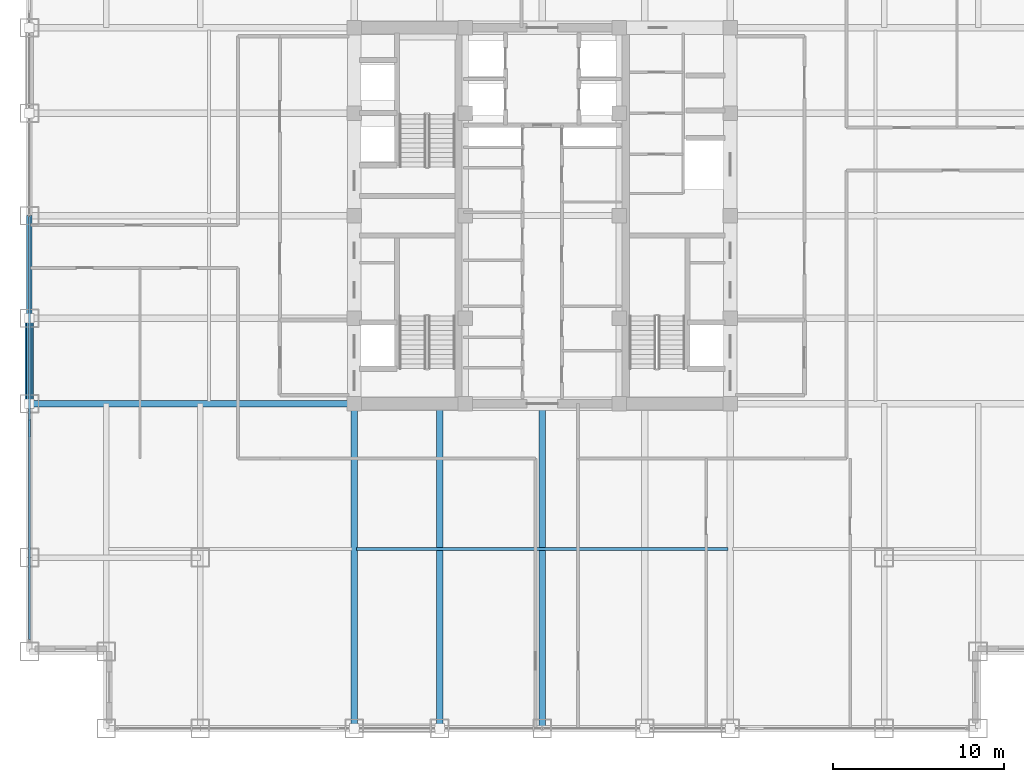
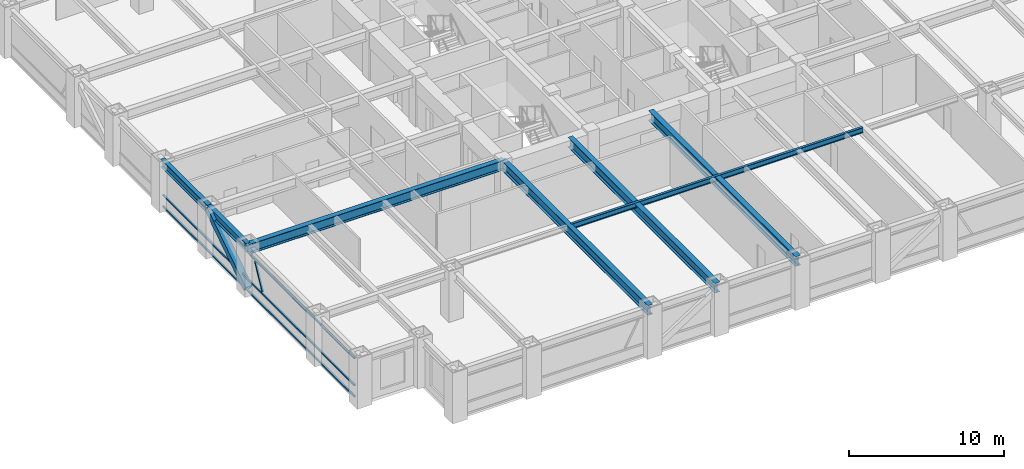
# One storey, part 5 of 25: 7 beams, 5 members, 1 element without a shape of its own.
"""IFC4 building model written with IfcOpenShell, lengths in metres."""

from ifc_helpers import new_model, si_unit, direction, frame, origin, origin_2d, place, context, subcontext, project, spatial, hollow_rectangle, i_section, extrude, source, transform, mapped, material, material_profile, profile_set, type_object, element, aggregate, save


model = new_model("IFC4")

# Units and contexts
model_context = context("Model", 3, precision=1e-05, world=origin(), true_north=direction((0.0, 1.0)))
body_context = subcontext(model_context, "Body", "Model", "MODEL_VIEW")
ifc_project = project(units=[si_unit("LENGTHUNIT", "METRE"), si_unit("AREAUNIT", "SQUARE_METRE"), si_unit("VOLUMEUNIT", "CUBIC_METRE"), si_unit("PLANEANGLEUNIT", "RADIAN"), si_unit("MASSUNIT", "GRAM", prefix="KILO")], contexts=[model_context])

# Site, building, storey
site_placement = place(None, origin())
site = spatial("IfcSite", under=ifc_project, at=site_placement, CompositionType="ELEMENT")
building_placement = place(site_placement, origin())
building = spatial("IfcBuilding", under=site, at=building_placement, Name="Khorayat Bourse Tower", CompositionType="ELEMENT")
storey_placement = place(building_placement, frame((0.0, 0.0, 195.10009765625)))
storey = spatial("IfcBuildingStorey", under=building, at=storey_placement, Name="L45", CompositionType="ELEMENT", Elevation=195.10009765625)

# Beams
ifc_material_1 = material(Name="Steel ASTM A992 Grade 50", Category="steel")
ifc_material_profile_1 = material_profile(ifc_material_1, i_section(OverallWidth=0.381103515625, OverallDepth=0.77294921875, WebThickness=0.0166015625, FlangeThickness=0.027587890625, FilletRadius=0.01806640625, at=origin_2d()), Name="W760X257")
ifc_profile_set_1 = profile_set([ifc_material_profile_1], Name="Steel ASTM A992 Grade 50")
beam_type_1 = type_object("IfcBeamType", Name="BM-GIRD-760", PredefinedType="BEAM", material=ifc_profile_set_1)
shared_shape_1 = source(origin(), body_context, "Body", "SweptSolid", [
    extrude(i_section(OverallWidth=0.381103515625, OverallDepth=0.77294921875, WebThickness=0.0166015625, FlangeThickness=0.027587890625, FilletRadius=0.01806640625, at=origin_2d()), origin(), (0.0, 0.0, 1.0), 19.0),
])
for number, where, z_axis, x_axis, name in (
    (1, (-11.0, -30.0, 3.393310546875), (0.0, 1.0, 0.0), (-1.0, 0.0, 0.0), "L45 BM-GIRD-760 BM-L45-RADY-065"),
    (2, (-6.0, -30.0, 3.393310546875), (0.0, 1.0, 0.0), (-1.0, 0.0, 0.0), "L45 BM-GIRD-760 BM-L45-RADY-067"),
    (3, (0.0, -30.0, 3.393310546875), (0.0, 1.0, 0.0), (-1.0, 0.0, 0.0), "L45 BM-GIRD-760 BM-L45-RADY-069"),
    (4, (-30.0, -11.0, 3.393310546875), (1.0, 0.0, 0.0), (0.0, 1.0, 0.0), "L45 BM-GIRD-760 BM-L45-RADX-075"),
):
    element("IfcBeam", number, at=place(storey_placement, frame(where, z_axis=z_axis, x_axis=x_axis)), inside=storey, type_object=beam_type_1, Name=name, PredefinedType="BEAM", context=body_context, shape_type="MappedRepresentation", body=[
        mapped(shared_shape_1, transform((0.0, 0.0, 0.0), scale=1.0)),
    ])
ifc_material_profile_2 = material_profile(ifc_material_1, i_section(OverallWidth=0.180908203125, OverallDepth=0.4169921875, WebThickness=0.010986328125, FlangeThickness=0.018310546875, FilletRadius=0.011962890625, at=origin_2d()), Name="W410X85")
ifc_profile_set_2 = profile_set([ifc_material_profile_2], Name="Steel ASTM A992 Grade 50")
beam_type_2 = type_object("IfcBeamType", Name="BM-JOIST-410", PredefinedType="JOIST", material=ifc_profile_set_2)
shared_shape_2 = source(origin(), body_context, "Body", "SweptSolid", [
    extrude(i_section(OverallWidth=0.180908203125, OverallDepth=0.4169921875, WebThickness=0.010986328125, FlangeThickness=0.018310546875, FilletRadius=0.011962890625, at=origin_2d()), origin(), (0.0, 0.0, 1.0), 21.740234375),
])
beam_1_placement = place(storey_placement, frame((-10.8701171875, -19.5, 3.5712890625), z_axis=(1.0, 0.0, 0.0), x_axis=(0.0, 1.0, 0.0)))
element("IfcBeam", 5, at=beam_1_placement, inside=storey, type_object=beam_type_2, Name="L45 BM-JOIST-410 BM-L45-JSTX-097", PredefinedType="JOIST", context=body_context, shape_type="MappedRepresentation", body=[
    mapped(shared_shape_2, transform((0.0, 0.0, 0.0), scale=1.0)),
])
ifc_material_profile_3 = material_profile(ifc_material_1, i_section(OverallWidth=0.324951171875, OverallDepth=0.615966796875, WebThickness=0.013916015625, FlangeThickness=0.021484375, FilletRadius=0.01611328125, at=origin_2d()), Name="W610X174")
ifc_profile_set_3 = profile_set([ifc_material_profile_3], Name="Steel ASTM A992 Grade 50")
beam_type_3 = type_object("IfcBeamType", Name="BM-SPAN-610", PredefinedType="SPANDREL", material=ifc_profile_set_3)
shared_shape_3 = source(origin(), body_context, "Body", "SweptSolid", [
    extrude(i_section(OverallWidth=0.324951171875, OverallDepth=0.615966796875, WebThickness=0.013916015625, FlangeThickness=0.021484375, FilletRadius=0.01611328125, at=origin_2d()), origin(), (0.0, 0.0, 1.0), 5.0),
])
beam_2_placement = place(storey_placement, frame((-30.0, -11.0, 3.471923828125), z_axis=(0.0, 1.0, 0.0), x_axis=(-1.0, 0.0, 0.0)))
element("IfcBeam", 6, at=beam_2_placement, inside=storey, type_object=beam_type_3, Name="L45 BM-SPAN-610 BM-L45-SPN-059", PredefinedType="SPANDREL", context=body_context, shape_type="MappedRepresentation", body=[
    mapped(shared_shape_3, transform((0.0, 0.0, 0.0), scale=1.0)),
])
shared_shape_4 = source(origin(), body_context, "Body", "SweptSolid", [
    extrude(i_section(OverallWidth=0.324951171875, OverallDepth=0.615966796875, WebThickness=0.013916015625, FlangeThickness=0.021484375, FilletRadius=0.01611328125, at=origin_2d()), origin(), (0.0, 0.0, 1.0), 6.0),
])
beam_3_placement = place(storey_placement, frame((-30.0, -6.0, 3.471923828125), z_axis=(0.0, 1.0, 0.0), x_axis=(-1.0, 0.0, 0.0)))
element("IfcBeam", 7, at=beam_3_placement, inside=storey, type_object=beam_type_3, Name="L45 BM-SPAN-610 BM-L45-SPN-058", PredefinedType="SPANDREL", context=body_context, shape_type="MappedRepresentation", body=[
    mapped(shared_shape_4, transform((0.0, 0.0, 0.0), scale=1.0)),
])

# Member
ifc_material_2 = material(Name="Steel EN 10025-4 S460M", Category="steel")
ifc_material_profile_4 = material_profile(ifc_material_2, hollow_rectangle(XDim=0.5, YDim=0.5, WallThickness=0.028076171875, at=origin_2d()), Name="HSS 500x500x28")
ifc_profile_set_4 = profile_set([ifc_material_profile_4], Name="Steel EN 10025-4 S460M")
member_type_1 = type_object("IfcMemberType", Name="MBR-TUBE-500", PredefinedType="BRACE", material=ifc_profile_set_4)
shared_shape_5 = source(origin(), body_context, "Body", "SweptSolid", [
    extrude(hollow_rectangle(XDim=0.5, YDim=0.5, WallThickness=0.028076171875, at=origin_2d()), origin(), (0.0, 0.0, 1.0), 5.979736328125),
])
member_1_placement = place(storey_placement, frame((-30.0, -11.0, 0.25), z_axis=(0.0, 0.836160261256, 0.548485202623), x_axis=(-1.0, 0.0, 0.0)))
element("IfcMember", 8, at=member_1_placement, inside=storey, type_object=member_type_1, Name="L45 Perimeter Tube Brace 05", PredefinedType="BRACE", context=body_context, shape_type="MappedRepresentation", body=[
    mapped(shared_shape_5, transform((0.0, 0.0, 0.0), scale=1.0)),
])

# Curtain wall, members
ifc_material_3 = material(Name="Aluminium EN AW-6063 T6", Category="aluminium")
curtain_wall_type = type_object("IfcCurtainWallType", Name="CW-SYS-03", PredefinedType="NOTDEFINED", material=ifc_material_3)
curtain_wall_placement = place(storey_placement, origin())
curtain_wall = element("IfcCurtainWall", 9, at=curtain_wall_placement, inside=storey, type_object=curtain_wall_type, Name="L45 Curtain Wall CW-L45-W1", PredefinedType="NOTDEFINED")
ifc_material_profile_5 = material_profile(ifc_material_3, hollow_rectangle(XDim=0.1201171875, YDim=0.1201171875, WallThickness=0.0048828125, at=origin_2d()), Name="ALU 120x120x5")
ifc_profile_set_5 = profile_set([ifc_material_profile_5], Name="Aluminium EN AW-6063 T6")
member_type_2 = type_object("IfcMemberType", Name="CWM-DIAG-120", PredefinedType="MULLION", material=ifc_profile_set_5)
shared_shape_6 = source(origin(), body_context, "Body", "SweptSolid", [
    extrude(hollow_rectangle(XDim=0.1201171875, YDim=0.1201171875, WallThickness=0.0048828125, at=origin_2d()), origin(), (0.0, 0.0, 1.0), 2.079345703125),
])
member_2_placement = place(storey_placement, frame((-30.0, -12.904296875, 1.08984375), z_axis=(0.0, 0.465760949701, 0.884910581773), x_axis=(-1.0, 0.0, 0.0)))
member_2 = element("IfcMember", 10, at=member_2_placement, type_object=member_type_2, Name="CW-L45-W1 Faceted Diagonal Mullion 1", PredefinedType="MULLION", context=body_context, shape_type="MappedRepresentation", body=[
    mapped(shared_shape_6, transform((0.0, 0.0, 0.0), scale=1.0)),
])
ifc_material_profile_6 = material_profile(ifc_material_3, hollow_rectangle(XDim=0.1201171875, YDim=0.1201171875, WallThickness=0.0048828125, at=origin_2d()), Name="ALU 120x120x5")
ifc_profile_set_6 = profile_set([ifc_material_profile_6], Name="Aluminium EN AW-6063 T6")
member_type_3 = type_object("IfcMemberType", Name="CWT-HORZ-120", PredefinedType="USERDEFINED", material=ifc_profile_set_6)
shared_shape_7 = source(origin(), body_context, "Body", "SweptSolid", [
    extrude(hollow_rectangle(XDim=0.1201171875, YDim=0.1201171875, WallThickness=0.0048828125, at=origin_2d()), origin(), (0.0, 0.0, 1.0), 24.719970703125),
])
member_3_placement = place(storey_placement, frame((-30.0, -24.780029296875, 0.059814453125), z_axis=(0.0, 1.0, 0.0), x_axis=(-1.0, 0.0, 0.0)))
member_3 = element("IfcMember", 11, at=member_3_placement, type_object=member_type_3, Name="CW-L45-W1 Horizontal Transom 1-1", ObjectType="TRANSOM", PredefinedType="USERDEFINED", context=body_context, shape_type="MappedRepresentation", body=[
    mapped(shared_shape_7, transform((0.0, 0.0, 0.0), scale=1.0)),
])
member_4_placement = place(storey_placement, frame((-30.0, -24.780029296875, 0.949951171875), z_axis=(0.0, 1.0, 0.0), x_axis=(-1.0, 0.0, 0.0)))
member_4 = element("IfcMember", 12, at=member_4_placement, type_object=member_type_3, Name="CW-L45-W1 Horizontal Transom 1-2", ObjectType="TRANSOM", PredefinedType="USERDEFINED", context=body_context, shape_type="MappedRepresentation", body=[
    mapped(shared_shape_7, transform((0.0, 0.0, 0.0), scale=1.0)),
])
member_5_placement = place(storey_placement, frame((-30.0, -24.780029296875, 3.06982421875), z_axis=(0.0, 1.0, 0.0), x_axis=(-1.0, 0.0, 0.0)))
member_5 = element("IfcMember", 13, at=member_5_placement, type_object=member_type_3, Name="CW-L45-W1 Horizontal Transom 1-3", ObjectType="TRANSOM", PredefinedType="USERDEFINED", context=body_context, shape_type="MappedRepresentation", body=[
    mapped(shared_shape_7, transform((0.0, 0.0, 0.0), scale=1.0)),
])
aggregate(curtain_wall, [member_3, member_4, member_5, member_2])

save(model, "model.ifc")
